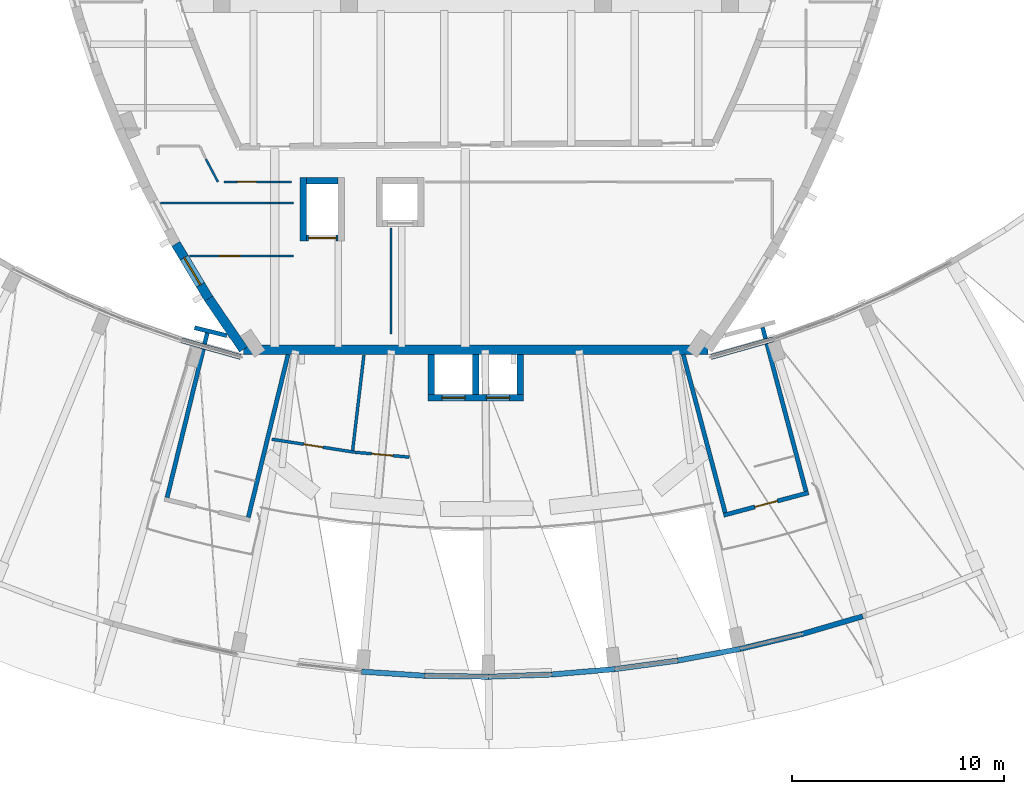
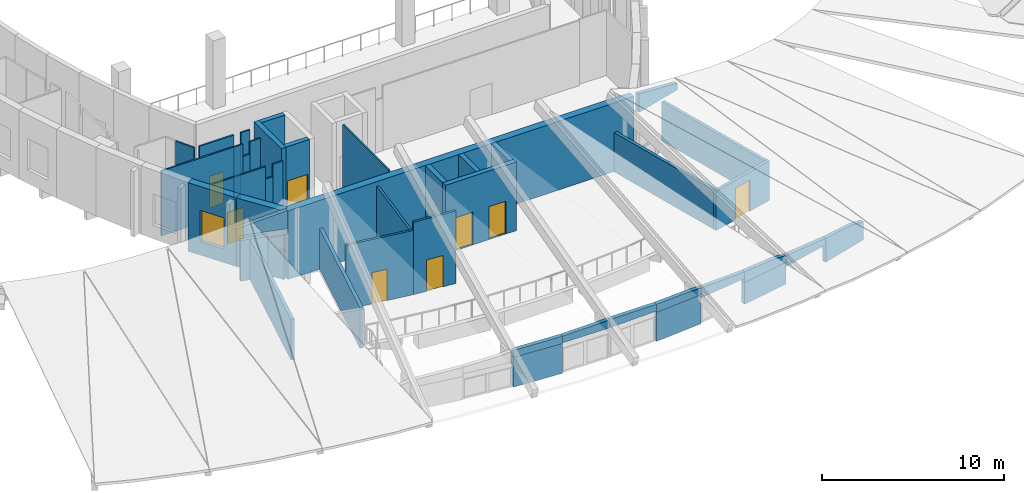
# One storey, part 33 of 56: 43 walls, 8 doors, 1 window, 9 openings.
"""IFC4 building model written with IfcOpenShell, lengths in metres."""

from ifc_helpers import new_model, si_unit, direction, frame, frame_2d, origin, place, context, subcontext, project, spatial, polyline, rectangle, outline, extrude, material, layer, layer_set, type_object, element, fill, save


model = new_model("IFC4")

# Units and contexts
model_context = context("Model", 3, precision=1e-05, world=origin(), true_north=direction((0.0, 1.0)))
body_context = subcontext(model_context, "Body", "Model", "MODEL_VIEW")
ifc_project = project(units=[si_unit("LENGTHUNIT", "METRE"), si_unit("AREAUNIT", "SQUARE_METRE"), si_unit("VOLUMEUNIT", "CUBIC_METRE"), si_unit("PLANEANGLEUNIT", "RADIAN"), si_unit("MASSUNIT", "GRAM", prefix="KILO")], contexts=[model_context])

# Site, building, storey
site_placement = place(None, origin())
site = spatial("IfcSite", under=ifc_project, at=site_placement, CompositionType="ELEMENT")
building_placement = place(site_placement, origin())
building = spatial("IfcBuilding", under=site, at=building_placement, Name="Tide Square Theatres", CompositionType="ELEMENT")
storey_placement = place(building_placement, frame((0.0, 0.0, 10.199951171875)))
storey = spatial("IfcBuildingStorey", under=building, at=storey_placement, Name="L02", CompositionType="ELEMENT", Elevation=10.199951171875)

# Walls
ifc_material_1 = material(Name="Gypsum board on steel studs", Category="steel")
ifc_layer_1 = layer(ifc_material_1, 0.10009765625)
ifc_layer_set_1 = layer_set([ifc_layer_1], Name="Gypsum board on steel studs")
wall_type_1 = type_object("IfcWallType", Name="Partition 100 thick", PredefinedType="PARTITIONING", material=ifc_layer_set_1)
wall_1_placement = place(storey_placement, frame((75.3798828125, 30.5, 0.0), z_axis=(0.0, 0.0, 1.0), x_axis=(-1.0, 0.0, 0.0)))
element("IfcWall", 1, at=wall_1_placement, inside=storey, type_object=wall_type_1, Name="Partition", PredefinedType="PARTITIONING", context=body_context, shape_type="SweptSolid", body=[
    extrude(rectangle(XDim=0.64990234375, YDim=0.10009765625, at=frame_2d((0.324951171875, 0.0))), origin(), (0.0, 0.0, 1.0), 4.35009765625),
])
wall_2_placement = place(storey_placement, frame((74.72998046875, 30.5, 0.0), z_axis=(0.0, 0.0, 1.0), x_axis=(-1.0, 0.0, 0.0)))
element("IfcWall", 2, at=wall_2_placement, inside=storey, type_object=wall_type_1, Name="Partition", PredefinedType="PARTITIONING", context=body_context, shape_type="SweptSolid", body=[
    extrude(rectangle(XDim=0.4599609375, YDim=0.10009765625, at=frame_2d((0.22998046875, 0.0))), origin(), (0.0, 0.0, 1.0), 3.52001953125),
])
wall_3_placement = place(storey_placement, frame((74.27001953125, 30.5, 0.0), z_axis=(0.0, 0.0, 1.0), x_axis=(-1.0, 0.0, 0.0)))
element("IfcWall", 3, at=wall_3_placement, inside=storey, type_object=wall_type_1, Name="Partition", PredefinedType="PARTITIONING", context=body_context, shape_type="SweptSolid", body=[
    extrude(rectangle(XDim=5.160888671875, YDim=0.10009765625, at=frame_2d((2.58056640625, 0.0))), origin(), (0.0, 0.0, 1.0), 4.35009765625),
])
wall_4_placement = place(storey_placement, frame((75.376953125, 28.0, 0.0), z_axis=(0.0, 0.0, 1.0), x_axis=(-1.0, 0.0, 0.0)))
element("IfcWall", 4, at=wall_4_placement, inside=storey, type_object=wall_type_1, Name="Partition", PredefinedType="PARTITIONING", context=body_context, shape_type="SweptSolid", body=[
    extrude(rectangle(XDim=0.64697265625, YDim=0.10009765625, at=frame_2d((0.323486328125, 0.0))), origin(), (0.0, 0.0, 1.0), 4.35009765625),
])
wall_5_placement = place(storey_placement, frame((74.72998046875, 28.0, 0.0), z_axis=(0.0, 0.0, 1.0), x_axis=(-1.0, 0.0, 0.0)))
element("IfcWall", 5, at=wall_5_placement, inside=storey, type_object=wall_type_1, Name="Partition", PredefinedType="PARTITIONING", context=body_context, shape_type="SweptSolid", body=[
    extrude(rectangle(XDim=0.4599609375, YDim=0.10009765625, at=frame_2d((0.22998046875, 0.0))), origin(), (0.0, 0.0, 1.0), 3.52001953125),
])

# Wall, opening, door
wall_6_placement = place(storey_placement, frame((74.27001953125, 28.0, 0.0), z_axis=(0.0, 0.0, 1.0), x_axis=(-1.0, 0.0, 0.0)))
wall_6 = element("IfcWall", 6, at=wall_6_placement, inside=storey, type_object=wall_type_1, Name="Partition", PredefinedType="PARTITIONING", context=body_context, shape_type="SweptSolid", body=[
    extrude(rectangle(XDim=3.790771484375, YDim=0.10009765625, at=frame_2d((1.8955078125, 0.0))), origin(), (0.0, 0.0, 1.0), 4.35009765625),
])
opening_1_placement = place(wall_6_placement, frame((1.395263671875, 0.0, 0.0)))
opening_1 = element("IfcOpeningElement", 7, at=opening_1_placement, cuts=wall_6, Name="Opening M02-09", PredefinedType="OPENING", context=body_context, shape_type="SweptSolid", body=[
    extrude(rectangle(XDim=1.0, YDim=2.10009765625, at=frame_2d((0.5, 1.050048828125))), frame((0.0, 0.06005859375, 0.0), z_axis=(0.0, -1.0, 0.0), x_axis=(1.0, 0.0, 0.0)), (0.0, 0.0, 1.0), 0.1201171875),
])
ifc_material_2 = material(Name="Hardwood timber", Category="wood")
door_type_1 = type_object("IfcDoorType", Name="Door 1000 x 2100 single leaf", OperationType="NOTDEFINED", PredefinedType="DOOR", material=ifc_material_2)
door_1_placement = place(opening_1_placement, frame((1.0, 0.0, 0.0), z_axis=(0.0, 0.0, 1.0), x_axis=(-1.0, 0.0, 0.0)))
door_1 = element("IfcDoor", 8, at=door_1_placement, inside=storey, type_object=door_type_1, Name="Accessible Toilet Upper Circle door", OperationType="SINGLE_SWING_LEFT", OverallHeight=2.10009765625, OverallWidth=1.0, PredefinedType="DOOR", context=body_context, shape_type="SweptSolid", body=[
    extrude(rectangle(XDim=1.0, YDim=2.10009765625, at=frame_2d((0.5, 1.050048828125))), frame((0.0, 0.02490234375, 0.0), z_axis=(0.0, -1.0, 0.0), x_axis=(1.0, 0.0, 0.0)), (0.0, 0.0, 1.0), 0.050048828125),
])
fill(opening_1, door_1)

# Wall
wall_7_placement = place(storey_placement, frame((71.248779296875, 32.582763671875, 0.0), z_axis=(0.0, 0.0, 1.0), x_axis=(0.466970962101, -0.884272650575, 0.0)))
element("IfcWall", 9, at=wall_7_placement, inside=storey, type_object=wall_type_1, Name="Partition", PredefinedType="PARTITIONING", context=body_context, shape_type="SweptSolid", body=[
    extrude(rectangle(XDim=1.223876953125, YDim=0.10009765625, at=frame_2d((0.61181640625, 0.0))), origin(), (0.0, 0.0, 1.0), 4.35009765625),
])

# Wall, opening, door
wall_8_placement = place(storey_placement, frame((72.098388671875, 31.5, 0.0), z_axis=(0.0, 0.0, 1.0), x_axis=(1.0, 0.0, 0.0)))
wall_8 = element("IfcWall", 10, at=wall_8_placement, inside=storey, type_object=wall_type_1, Name="Partition", PredefinedType="PARTITIONING", context=body_context, shape_type="SweptSolid", body=[
    extrude(rectangle(XDim=2.171630859375, YDim=0.10009765625, at=frame_2d((1.0859375, 0.0))), origin(), (0.0, 0.0, 1.0), 4.35009765625),
])
opening_2_placement = place(wall_8_placement, frame((0.6357421875, 0.0, 0.0)))
opening_2 = element("IfcOpeningElement", 11, at=opening_2_placement, cuts=wall_8, Name="Opening M02-08", PredefinedType="OPENING", context=body_context, shape_type="SweptSolid", body=[
    extrude(rectangle(XDim=0.89990234375, YDim=2.10009765625, at=frame_2d((0.449951171875, 1.050048828125))), frame((0.0, 0.06005859375, 0.0), z_axis=(0.0, -1.0, 0.0), x_axis=(1.0, 0.0, 0.0)), (0.0, 0.0, 1.0), 0.1201171875),
])
ifc_material_3 = material(Name="Hardwood timber", Category="wood")
door_type_2 = type_object("IfcDoorType", Name="Door 900 x 2100 single leaf", OperationType="NOTDEFINED", PredefinedType="DOOR", material=ifc_material_3)
door_2_placement = place(opening_2_placement, frame((0.89990234375, 0.0, 0.0), z_axis=(0.0, 0.0, 1.0), x_axis=(-1.0, 0.0, 0.0)))
door_2 = element("IfcDoor", 12, at=door_2_placement, inside=storey, type_object=door_type_2, Name="Women's Toilets Upper Circle door", OperationType="SINGLE_SWING_LEFT", OverallHeight=2.10009765625, OverallWidth=0.89990234375, PredefinedType="DOOR", context=body_context, shape_type="SweptSolid", body=[
    extrude(rectangle(XDim=0.89990234375, YDim=2.10009765625, at=frame_2d((0.449951171875, 1.050048828125))), frame((0.0, 0.02490234375, 0.0), z_axis=(0.0, -1.0, 0.0), x_axis=(1.0, 0.0, 0.0)), (0.0, 0.0, 1.0), 0.050048828125),
])
fill(opening_2, door_2)

# Walls
wall_9_placement = place(storey_placement, frame((74.27001953125, 31.5, 0.0), z_axis=(0.0, 0.0, 1.0), x_axis=(1.0, 0.0, 0.0)))
element("IfcWall", 13, at=wall_9_placement, inside=storey, type_object=wall_type_1, Name="Partition", PredefinedType="PARTITIONING", context=body_context, shape_type="SweptSolid", body=[
    extrude(rectangle(XDim=0.4599609375, YDim=0.10009765625, at=frame_2d((0.22998046875, 0.0))), origin(), (0.0, 0.0, 1.0), 3.52001953125),
])
wall_10_placement = place(storey_placement, frame((74.72998046875, 31.5, 0.0), z_axis=(0.0, 0.0, 1.0), x_axis=(1.0, 0.0, 0.0)))
element("IfcWall", 14, at=wall_10_placement, inside=storey, type_object=wall_type_1, Name="Partition", PredefinedType="PARTITIONING", context=body_context, shape_type="SweptSolid", body=[
    extrude(rectangle(XDim=0.557861328125, YDim=0.10009765625, at=frame_2d((0.27880859375, 0.0))), origin(), (0.0, 0.0, 1.0), 4.35009765625),
])
wall_11_placement = place(storey_placement, frame((80.0, 24.317626953125, 0.0), z_axis=(0.0, 0.0, 1.0), x_axis=(0.0, 1.0, 0.0)))
element("IfcWall", 15, at=wall_11_placement, inside=storey, type_object=wall_type_1, Name="Partition", PredefinedType="PARTITIONING", context=body_context, shape_type="SweptSolid", body=[
    extrude(rectangle(XDim=5.012451171875, YDim=0.10009765625, at=frame_2d((2.50634765625, 0.0))), origin(), (0.0, 0.0, 1.0), 4.35009765625),
])
ifc_material_4 = material(Name="Concrete masonry block", Category="masonry")
ifc_layer_2 = layer(ifc_material_4, 0.139892578125)
ifc_layer_set_2 = layer_set([ifc_layer_2], Name="Concrete masonry block")
wall_type_2 = type_object("IfcWallType", Name="Partition 140 thick", PredefinedType="PARTITIONING", material=ifc_layer_set_2)
wall_12_placement = place(storey_placement, frame((78.71337890625, 23.317626953125, 0.0), z_axis=(0.0, 0.0, 1.0), x_axis=(-0.117508051617, -0.993071929824, 0.0)))
element("IfcWall", 16, at=wall_12_placement, inside=storey, type_object=wall_type_2, Name="Foyer room partition", PredefinedType="PARTITIONING", context=body_context, shape_type="SweptSolid", body=[
    extrude(rectangle(XDim=4.5458984375, YDim=0.139892578125, at=frame_2d((2.27294921875, 0.0))), origin(), (0.0, 0.0, 1.0), 4.31396484375),
])

# Wall, opening, door
wall_13_placement = place(storey_placement, frame((74.361328125, 19.345703125, 0.0), z_axis=(0.0, 0.0, 1.0), x_axis=(0.987917678703, -0.154979547379, 0.0)))
wall_13 = element("IfcWall", 17, at=wall_13_placement, inside=storey, type_object=wall_type_2, Name="Foyer room wall", PredefinedType="PARTITIONING", context=body_context, shape_type="SweptSolid", body=[
    extrude(rectangle(XDim=3.966552734375, YDim=0.139892578125, at=frame_2d((1.9833984375, 0.0))), origin(), (0.0, 0.0, 1.0), 4.31396484375),
])
opening_3_placement = place(wall_13_placement, frame((1.533203125, 0.0, 0.0)))
opening_3 = element("IfcOpeningElement", 18, at=opening_3_placement, cuts=wall_13, Name="Opening F02-03", PredefinedType="OPENING", context=body_context, shape_type="SweptSolid", body=[
    extrude(rectangle(XDim=0.89990234375, YDim=2.10009765625, at=frame_2d((0.449951171875, 1.050048828125))), frame((0.0, 0.079833984375, 0.0), z_axis=(0.0, -1.0, 0.0), x_axis=(1.0, 0.0, 0.0)), (0.0, 0.0, 1.0), 0.159912109375),
])
door_3_placement = place(opening_3_placement, origin())
door_3 = element("IfcDoor", 19, at=door_3_placement, inside=storey, type_object=door_type_2, Name="Public Toilets 3 door", OperationType="SINGLE_SWING_RIGHT", OverallHeight=2.10009765625, OverallWidth=0.89990234375, PredefinedType="DOOR", context=body_context, shape_type="SweptSolid", body=[
    extrude(rectangle(XDim=0.89990234375, YDim=2.10009765625, at=frame_2d((0.449951171875, 1.050048828125))), frame((0.0, 0.02490234375, 0.0), z_axis=(0.0, -1.0, 0.0), x_axis=(1.0, 0.0, 0.0)), (0.0, 0.0, 1.0), 0.050048828125),
])
fill(opening_3, door_3)

wall_14_placement = place(storey_placement, frame((78.2998046875, 18.728759765625, 0.0), z_axis=(0.0, 0.0, 1.0), x_axis=(0.996014787006, -0.08918825071, 0.0)))
wall_14 = element("IfcWall", 20, at=wall_14_placement, inside=storey, type_object=wall_type_2, Name="Foyer room wall", PredefinedType="PARTITIONING", context=body_context, shape_type="SweptSolid", body=[
    extrude(rectangle(XDim=2.56494140625, YDim=0.139892578125, at=frame_2d((1.282470703125, 0.0))), origin(), (0.0, 0.0, 1.0), 4.85693359375),
])
opening_4_placement = place(wall_14_placement, frame((0.782470703125, 0.0, 0.0)))
opening_4 = element("IfcOpeningElement", 21, at=opening_4_placement, cuts=wall_14, Name="Opening F02-04", PredefinedType="OPENING", context=body_context, shape_type="SweptSolid", body=[
    extrude(rectangle(XDim=1.0, YDim=2.10009765625, at=frame_2d((0.5, 1.050048828125))), frame((0.0, 0.079833984375, 0.0), z_axis=(0.0, -1.0, 0.0), x_axis=(1.0, 0.0, 0.0)), (0.0, 0.0, 1.0), 0.159912109375),
])
door_4_placement = place(opening_4_placement, origin())
door_4 = element("IfcDoor", 22, at=door_4_placement, inside=storey, type_object=door_type_1, Name="Accessible Toilet 3 door", OperationType="SINGLE_SWING_RIGHT", OverallHeight=2.10009765625, OverallWidth=1.0, PredefinedType="DOOR", context=body_context, shape_type="SweptSolid", body=[
    extrude(rectangle(XDim=1.0, YDim=2.10009765625, at=frame_2d((0.5, 1.050048828125))), frame((0.0, 0.02490234375, 0.0), z_axis=(0.0, -1.0, 0.0), x_axis=(1.0, 0.0, 0.0)), (0.0, 0.0, 1.0), 0.050048828125),
])
fill(opening_4, door_4)

# Wall, opening, window
ifc_material_5 = material(Name="Concrete C40", Category="concrete")
ifc_layer_3 = layer(ifc_material_5, 0.449951171875)
ifc_layer_set_3 = layer_set([ifc_layer_3], Name="Concrete C40")
wall_type_3 = type_object("IfcWallType", Name="RC curved wall 450 thick", PredefinedType="SOLIDWALL", material=ifc_layer_set_3)
wall_15_placement = place(storey_placement, frame((69.830810546875, 28.57470703125, 0.0), z_axis=(0.0, 0.0, 1.0), x_axis=(0.515636119523, -0.856807675177, 0.0)))
wall_15 = element("IfcWall", 23, at=wall_15_placement, inside=storey, type_object=wall_type_3, Name="Main Theatre perimeter wall", PredefinedType="SOLIDWALL", context=body_context, shape_type="SweptSolid", body=[
    extrude(rectangle(XDim=3.021240234375, YDim=0.449951171875, at=frame_2d((1.5107421875, 0.0))), origin(), (0.0, 0.0, 1.0), 4.60009765625),
])
opening_5_placement = place(wall_15_placement, frame((0.760498046875, 0.0, 0.89990234375)))
opening_5 = element("IfcOpeningElement", 24, at=opening_5_placement, cuts=wall_15, Name="Opening WN-01", PredefinedType="OPENING", context=body_context, shape_type="SweptSolid", body=[
    extrude(rectangle(XDim=1.5, YDim=2.10009765625, at=frame_2d((0.75, 1.050048828125))), frame((0.0, 0.23486328125, 0.0), z_axis=(0.0, -1.0, 0.0), x_axis=(1.0, 0.0, 0.0)), (0.0, 0.0, 1.0), 0.469970703125),
])
ifc_material_6 = material(Name="Aluminium with laminated glass", Category="aluminium")
window_type = type_object("IfcWindowType", Name="Window 1500 x 2100", PartitioningType="SINGLE_PANEL", PredefinedType="WINDOW", material=ifc_material_6)
window_placement = place(opening_5_placement, origin())
window = element("IfcWindow", 25, at=window_placement, inside=storey, type_object=window_type, Name="Main Theatre window", OverallHeight=2.10009765625, OverallWidth=1.5, PartitioningType="SINGLE_PANEL", PredefinedType="WINDOW", context=body_context, shape_type="SweptSolid", body=[
    extrude(rectangle(XDim=1.5, YDim=2.10009765625, at=frame_2d((0.75, 1.050048828125))), frame((0.0, 0.030029296875, 0.0), z_axis=(0.0, -1.0, 0.0), x_axis=(1.0, 0.0, 0.0)), (0.0, 0.0, 1.0), 0.06005859375),
])
fill(opening_5, window)

# Walls
wall_16_placement = place(storey_placement, frame((71.388671875, 25.986083984375, 0.0), z_axis=(0.0, 0.0, 1.0), x_axis=(0.5629642644, -0.826481238147, 0.0)))
element("IfcWall", 26, at=wall_16_placement, inside=storey, type_object=wall_type_3, Name="Main Theatre perimeter wall", PredefinedType="SOLIDWALL", context=body_context, shape_type="SweptSolid", body=[
    extrude(rectangle(XDim=2.908203125, YDim=0.449951171875, at=frame_2d((1.4541015625, 0.0))), origin(), (0.0, 0.0, 1.0), 4.60009765625),
])
wall_17_placement = place(storey_placement, frame((73.02587890625, 23.58251953125, 0.0), z_axis=(0.0, 0.0, 1.0), x_axis=(1.0, 0.0, 0.0)))
element("IfcWall", 27, at=wall_17_placement, inside=storey, type_object=wall_type_3, Name="Main Theatre perimeter wall", PredefinedType="SOLIDWALL", context=body_context, shape_type="SweptSolid", body=[
    extrude(rectangle(XDim=21.9482421875, YDim=0.449951171875, at=frame_2d((10.97412109375, 0.0))), origin(), (0.0, 0.0, 1.0), 4.60009765625),
])
ifc_material_7 = material(Name="Concrete C40", Category="concrete")
ifc_layer_4 = layer(ifc_material_7, 0.199951171875)
ifc_layer_set_4 = layer_set([ifc_layer_4], Name="Concrete C40")
wall_type_4 = type_object("IfcWallType", Name="RC shear wall 200 thick", PredefinedType="SHEAR", material=ifc_layer_set_4)
wall_18_placement = place(storey_placement, frame((72.23193359375, 24.242431640625, 0.0), z_axis=(0.0, 0.0, 1.0), x_axis=(-0.971444715638, 0.237266020446, 0.0)))
element("IfcWall", 28, at=wall_18_placement, inside=storey, type_object=wall_type_4, Name="Exit stair F3 wall", PredefinedType="SHEAR", context=body_context, shape_type="SweptSolid", body=[
    extrude(rectangle(XDim=1.559814453125, YDim=0.199951171875, at=frame_2d((0.77978515625, 0.0))), origin(), (0.0, 0.0, 1.0), 2.733154296875),
])
wall_19_placement = place(storey_placement, frame((73.254638671875, 15.655029296875, 0.0), z_axis=(0.0, 0.0, 1.0), x_axis=(0.237142809453, 0.971474800458, 0.0)))
element("IfcWall", 29, at=wall_19_placement, inside=storey, type_object=wall_type_4, Name="Exit stair F3 wall", PredefinedType="SHEAR", context=body_context, shape_type="SweptSolid", body=[
    extrude(rectangle(XDim=7.919921875, YDim=0.199951171875, at=frame_2d((3.9599609375, 0.0))), origin(), (0.0, 0.0, 1.0), 2.733154296875),
])
wall_20_placement = place(storey_placement, frame((69.417236328125, 16.591796875, 0.0), z_axis=(0.0, 0.0, 1.0), x_axis=(0.2371535898, 0.971472168847, 0.0)))
element("IfcWall", 30, at=wall_20_placement, inside=storey, type_object=wall_type_4, Name="Exit stair F3 wall", PredefinedType="SHEAR", context=body_context, shape_type="SweptSolid", body=[
    extrude(rectangle(XDim=8.0, YDim=0.199951171875, at=frame_2d((4.0, 0.0))), origin(), (0.0, 0.0, 1.0), 2.733154296875),
])

# Wall, opening, door
wall_21_placement = place(storey_placement, frame((99.71826171875, 16.819091796875, 0.0), z_axis=(0.0, 0.0, 1.0), x_axis=(-0.966590417756, -0.256325894715, 0.0)))
wall_21 = element("IfcWall", 31, at=wall_21_placement, inside=storey, type_object=wall_type_4, Name="Exit stair F4 wall", PredefinedType="SHEAR", context=body_context, shape_type="SweptSolid", body=[
    extrude(rectangle(XDim=4.14990234375, YDim=0.199951171875, at=frame_2d((2.074951171875, 0.0))), origin(), (0.0, 0.0, 1.0), 2.64013671875),
])
opening_6_placement = place(wall_21_placement, frame((1.52490234375, 0.0, 0.0)))
opening_6 = element("IfcOpeningElement", 32, at=opening_6_placement, cuts=wall_21, Name="Opening F02-02", PredefinedType="OPENING", context=body_context, shape_type="SweptSolid", body=[
    extrude(rectangle(XDim=1.10009765625, YDim=2.10009765625, at=frame_2d((0.550048828125, 1.050048828125))), frame((0.0, 0.10986328125, 0.0), z_axis=(0.0, -1.0, 0.0), x_axis=(1.0, 0.0, 0.0)), (0.0, 0.0, 1.0), 0.219970703125),
])
ifc_material_8 = material(Name="Painted steel", Category="steel")
door_type_3 = type_object("IfcDoorType", Name="Door 1100 x 2100 single leaf", OperationType="NOTDEFINED", PredefinedType="DOOR", material=ifc_material_8)
door_5_placement = place(opening_6_placement, origin())
door_5 = element("IfcDoor", 33, at=door_5_placement, inside=storey, type_object=door_type_3, Name="Exit stair F4 door", OperationType="SINGLE_SWING_RIGHT", OverallHeight=2.10009765625, OverallWidth=1.10009765625, PredefinedType="DOOR", context=body_context, shape_type="SweptSolid", body=[
    extrude(rectangle(XDim=1.10009765625, YDim=2.10009765625, at=frame_2d((0.550048828125, 1.050048828125))), frame((0.0, 0.02490234375, 0.0), z_axis=(0.0, -1.0, 0.0), x_axis=(1.0, 0.0, 0.0)), (0.0, 0.0, 1.0), 0.050048828125),
])
fill(opening_6, door_5)

# Walls
wall_22_placement = place(storey_placement, frame((99.59619140625, 16.89013671875, 0.0), z_axis=(0.0, 0.0, 1.0), x_axis=(-0.25631948932, 0.966592116352, 0.0)))
element("IfcWall", 34, at=wall_22_placement, inside=storey, type_object=wall_type_4, Name="Exit stair F4 wall", PredefinedType="SHEAR", context=body_context, shape_type="SweptSolid", body=[
    extrude(rectangle(XDim=8.0, YDim=0.199951171875, at=frame_2d((4.0, 0.0))), origin(), (0.0, 0.0, 1.0), 2.64013671875),
])
wall_23_placement = place(storey_placement, frame((95.778076171875, 15.877685546875, 0.0), z_axis=(0.0, 0.0, 1.0), x_axis=(-0.256333531377, 0.966588392591, 0.0)))
element("IfcWall", 35, at=wall_23_placement, inside=storey, type_object=wall_type_4, Name="Exit stair F4 wall", PredefinedType="SHEAR", context=body_context, shape_type="SweptSolid", body=[
    extrude(rectangle(XDim=7.72998046875, YDim=0.199951171875, at=frame_2d((3.864990234375, 0.0))), origin(), (0.0, 0.0, 1.0), 2.64013671875),
])
ifc_material_9 = material(Name="Concrete C40", Category="concrete")
ifc_layer_5 = layer(ifc_material_9, 0.25)
ifc_layer_set_5 = layer_set([ifc_layer_5], Name="Concrete C40")
wall_type_5 = type_object("IfcWallType", Name="RC shear wall 250 thick", PredefinedType="SHEAR", material=ifc_layer_set_5)
wall_24_placement = place(storey_placement, frame((78.6064453125, 8.368408203125, 0.0), z_axis=(0.0, 0.0, 1.0), x_axis=(0.99787826494, -0.065107360255, 0.0)))
element("IfcWall", 36, at=wall_24_placement, inside=storey, type_object=wall_type_5, Name="Foyer entrance pier wall", PredefinedType="SHEAR", context=body_context, shape_type="SweptSolid", body=[
    extrude(rectangle(XDim=2.99609375, YDim=0.25, at=frame_2d((1.498046875, 0.0))), origin(), (0.0, 0.0, 1.0), 2.00390625),
])
wall_25_placement = place(storey_placement, frame((78.6064453125, 8.368408203125, 2.00390625), z_axis=(0.0, 0.0, 1.0), x_axis=(0.99787826494, -0.065107360255, 0.0)))
element("IfcWall", 37, at=wall_25_placement, inside=storey, type_object=wall_type_5, Name="Foyer fascia wall", PredefinedType="SHEAR", context=body_context, shape_type="SweptSolid", body=[
    extrude(outline(polyline([(0.0, 0.0), (2.99609375, 0.0), (2.99609375, 0.48583984375), (0.299560546875, 0.458251953125), (0.0, 0.448486328125), (0.0, 0.0)])), frame((0.0, 0.125, 0.0), z_axis=(0.0, -1.0, 0.0), x_axis=(1.0, 0.0, 0.0)), (0.0, 0.0, 1.0), 0.25),
])
wall_26_placement = place(storey_placement, frame((87.5859375, 8.232421875, 0.0), z_axis=(0.0, 0.0, 1.0), x_axis=(0.996388331705, 0.08491344088, 0.0)))
element("IfcWall", 38, at=wall_26_placement, inside=storey, type_object=wall_type_5, Name="Foyer entrance pier wall", PredefinedType="SHEAR", context=body_context, shape_type="SweptSolid", body=[
    extrude(rectangle(XDim=2.995849609375, YDim=0.25, at=frame_2d((1.498046875, 0.0))), origin(), (0.0, 0.0, 1.0), 1.945068359375),
])
wall_27_placement = place(storey_placement, frame((87.5859375, 8.232421875, 1.945068359375), z_axis=(0.0, 0.0, 1.0), x_axis=(0.996388331705, 0.08491344088, 0.0)))
element("IfcWall", 39, at=wall_27_placement, inside=storey, type_object=wall_type_5, Name="Foyer fascia wall", PredefinedType="SHEAR", context=body_context, shape_type="SweptSolid", body=[
    extrude(outline(polyline([(0.0, 0.0), (2.995849609375, 0.0), (2.99609375, 0.448486328125), (2.6962890625, 0.47021484375), (2.396728515625, 0.491455078125), (2.09716796875, 0.50830078125), (0.0, 0.546875), (0.0, 0.0)])), frame((0.0, 0.125, 0.0), z_axis=(0.0, -1.0, 0.0), x_axis=(1.0, 0.0, 0.0)), (0.0, 0.0, 1.0), 0.25),
])
wall_28_placement = place(storey_placement, frame((93.539794921875, 8.889892578125, 0.0), z_axis=(0.0, 0.0, 1.0), x_axis=(0.982925651783, 0.184003160481, 0.0)))
element("IfcWall", 40, at=wall_28_placement, inside=storey, type_object=wall_type_5, Name="Foyer entrance pier wall", PredefinedType="SHEAR", context=body_context, shape_type="SweptSolid", body=[
    extrude(rectangle(XDim=2.99609375, YDim=0.25, at=frame_2d((1.498046875, 0.0))), origin(), (0.0, 0.0, 1.0), 1.4580078125),
])
wall_29_placement = place(storey_placement, frame((93.539794921875, 8.889892578125, 1.4580078125), z_axis=(0.0, 0.0, 1.0), x_axis=(0.982925651783, 0.184003160481, 0.0)))
element("IfcWall", 41, at=wall_29_placement, inside=storey, type_object=wall_type_5, Name="Foyer fascia wall", PredefinedType="SHEAR", context=body_context, shape_type="SweptSolid", body=[
    extrude(outline(polyline([(0.0, 0.0), (2.99609375, 0.0), (2.99609375, 0.44873046875), (2.6962890625, 0.49951171875), (2.396728515625, 0.555419921875), (2.09716796875, 0.605224609375), (0.0, 0.7236328125), (0.0, 0.0)])), frame((0.0, 0.125, 0.0), z_axis=(0.0, -1.0, 0.0), x_axis=(1.0, 0.0, 0.0)), (0.0, 0.0, 1.0), 0.25),
])
wall_30_placement = place(storey_placement, frame((81.59619140625, 8.17333984375, 2.041259765625), z_axis=(0.0, 0.0, 1.0), x_axis=(0.999885123306, -0.015157182798, 0.0)))
element("IfcWall", 42, at=wall_30_placement, inside=storey, type_object=wall_type_5, Name="Foyer fascia wall", PredefinedType="SHEAR", context=body_context, shape_type="SweptSolid", body=[
    extrude(outline(polyline([(0.0, 0.0), (2.995849609375, 0.0), (2.99609375, 0.548583984375), (2.396728515625, 0.512939453125), (2.09716796875, 0.499267578125), (0.0, 0.44873046875), (0.0, 0.0)])), frame((0.0, 0.125, 0.0), z_axis=(0.0, -1.0, 0.0), x_axis=(1.0, 0.0, 0.0)), (0.0, 0.0, 1.0), 0.25),
])
wall_31_placement = place(storey_placement, frame((84.591796875, 8.1279296875, 2.04345703125), z_axis=(0.0, 0.0, 1.0), x_axis=(0.999391589397, 0.034877658208, 0.0)))
element("IfcWall", 43, at=wall_31_placement, inside=storey, type_object=wall_type_5, Name="Foyer fascia wall", PredefinedType="SHEAR", context=body_context, shape_type="SweptSolid", body=[
    extrude(outline(polyline([(0.0, 0.0), (2.995849609375, 0.0), (2.99609375, 0.448486328125), (0.0, 0.546630859375), (0.0, 0.0)])), frame((0.0, 0.125, 0.0), z_axis=(0.0, -1.0, 0.0), x_axis=(1.0, 0.0, 0.0)), (0.0, 0.0, 1.0), 0.25),
])
wall_32_placement = place(storey_placement, frame((90.571044921875, 8.48681640625, 1.733642578125), z_axis=(0.0, 0.0, 1.0), x_axis=(0.990908350076, 0.134538625491, 0.0)))
element("IfcWall", 44, at=wall_32_placement, inside=storey, type_object=wall_type_5, Name="Foyer fascia wall", PredefinedType="SHEAR", context=body_context, shape_type="SweptSolid", body=[
    extrude(outline(polyline([(0.0, 0.0), (2.99609375, 0.0), (2.99609375, 0.448486328125), (0.0, 0.659423828125), (0.0, 0.0)])), frame((0.0, 0.125, 0.0), z_axis=(0.0, -1.0, 0.0), x_axis=(1.0, 0.0, 0.0)), (0.0, 0.0, 1.0), 0.25),
])
wall_33_placement = place(storey_placement, frame((96.484619140625, 9.441162109375, 1.171875), z_axis=(0.0, 0.0, 1.0), x_axis=(0.972501099479, 0.232898285764, 0.0)))
element("IfcWall", 45, at=wall_33_placement, inside=storey, type_object=wall_type_5, Name="Foyer fascia wall", PredefinedType="SHEAR", context=body_context, shape_type="SweptSolid", body=[
    extrude(outline(polyline([(0.0, 0.0), (2.995849609375, 0.0), (2.99609375, 0.44873046875), (0.0, 0.734375), (0.0, 0.0)])), frame((0.0, 0.125, 0.0), z_axis=(0.0, -1.0, 0.0), x_axis=(1.0, 0.0, 0.0)), (0.0, 0.0, 1.0), 0.25),
])
wall_34_placement = place(storey_placement, frame((99.398193359375, 10.138916015625, 0.0), z_axis=(0.0, 0.0, 1.0), x_axis=(0.959619441909, 0.281301487217, 0.0)))
element("IfcWall", 46, at=wall_34_placement, inside=storey, type_object=wall_type_5, Name="Foyer fascia wall", PredefinedType="SHEAR", context=body_context, shape_type="SweptSolid", body=[
    extrude(outline(polyline([(0.0, 0.0), (2.99609375, 0.0), (2.99609375, 1.224853515625), (2.6962890625, 1.28955078125), (2.396728515625, 1.369140625), (2.09716796875, 1.446533203125), (0.0, 1.6201171875), (0.0, 0.0)])), frame((0.0, 0.125, 0.0), z_axis=(0.0, -1.0, 0.0), x_axis=(1.0, 0.0, 0.0)), (0.0, 0.0, 1.0), 0.25),
])
wall_35_placement = place(storey_placement, frame((98.045654296875, 24.0654296875, 3.60693359375), z_axis=(0.0, 0.0, 1.0), x_axis=(-0.962032579716, -0.272934636065, 0.0)))
element("IfcWall", 47, at=wall_35_placement, inside=storey, type_object=wall_type_5, Name="Foyer fascia wall", PredefinedType="SHEAR", context=body_context, shape_type="SweptSolid", body=[
    extrude(outline(polyline([(0.0, 0.0), (3.051025390625, 0.0), (3.05126953125, 1.2578125), (0.27734375, 0.515869140625), (0.0, 0.448974609375), (0.0, 0.0)])), frame((0.0, 0.125, 0.0), z_axis=(0.0, -1.0, 0.0), x_axis=(1.0, 0.0, 0.0)), (0.0, 0.0, 1.0), 0.25),
])
wall_36_placement = place(storey_placement, frame((72.8896484375, 23.232666015625, 3.626953125), z_axis=(0.0, 0.0, 1.0), x_axis=(-0.962501662404, 0.271275781944, 0.0)))
element("IfcWall", 48, at=wall_36_placement, inside=storey, type_object=wall_type_5, Name="Foyer fascia wall", PredefinedType="SHEAR", context=body_context, shape_type="SweptSolid", body=[
    extrude(outline(polyline([(0.0, 0.0), (2.893310546875, 0.0), (2.8935546875, 0.448974609375), (2.31494140625, 0.62841796875), (2.025390625, 0.697509765625), (0.0, 1.203369140625), (0.0, 0.0)])), frame((0.0, 0.125, 0.0), z_axis=(0.0, -1.0, 0.0), x_axis=(1.0, 0.0, 0.0)), (0.0, 0.0, 1.0), 0.25),
])

# Wall, opening, door
ifc_material_10 = material(Name="Concrete C40", Category="concrete")
ifc_layer_6 = layer(ifc_material_10, 0.300048828125)
ifc_layer_set_6 = layer_set([ifc_layer_6], Name="Concrete C40")
wall_type_6 = type_object("IfcWallType", Name="RC shear wall 300 thick", PredefinedType="SHEAR", material=ifc_layer_set_6)
wall_37_placement = place(storey_placement, frame((76.0, 28.85009765625, 0.0), z_axis=(0.0, 0.0, 1.0), x_axis=(1.0, 0.0, 0.0)))
wall_37 = element("IfcWall", 49, at=wall_37_placement, inside=storey, type_object=wall_type_6, Name="Main Theatre lift 1 shaft wall", PredefinedType="SHEAR", context=body_context, shape_type="SweptSolid", body=[
    extrude(rectangle(XDim=1.5, YDim=0.300048828125, at=frame_2d((0.75, 0.0))), origin(), (0.0, 0.0, 1.0), 4.60009765625),
])
opening_7_placement = place(wall_37_placement, frame((0.10009765625, 0.0, 0.0)))
opening_7 = element("IfcOpeningElement", 50, at=opening_7_placement, cuts=wall_37, Name="Opening LD-M1-2", PredefinedType="OPENING", context=body_context, shape_type="SweptSolid", body=[
    extrude(rectangle(XDim=1.300048828125, YDim=2.300048828125, at=frame_2d((0.64990234375, 1.14990234375))), frame((0.0, 0.159912109375, 0.0), z_axis=(0.0, -1.0, 0.0), x_axis=(1.0, 0.0, 0.0)), (0.0, 0.0, 1.0), 0.320068359375),
])
ifc_material_11 = material(Name="Painted steel", Category="steel")
door_type_4 = type_object("IfcDoorType", Name="Door 1300 x 2300 sliding", OperationType="SLIDING_TO_LEFT", PredefinedType="DOOR", material=ifc_material_11)
door_6_placement = place(opening_7_placement, origin())
door_6 = element("IfcDoor", 51, at=door_6_placement, inside=storey, type_object=door_type_4, Name="Main Theatre Stretcher Lift landing door L02", OperationType="SLIDING_TO_LEFT", OverallHeight=2.300048828125, OverallWidth=1.300048828125, PredefinedType="DOOR", context=body_context, shape_type="SweptSolid", body=[
    extrude(rectangle(XDim=1.300048828125, YDim=2.300048828125, at=frame_2d((0.64990234375, 1.14990234375))), frame((0.0, 0.02490234375, 0.0), z_axis=(0.0, -1.0, 0.0), x_axis=(1.0, 0.0, 0.0)), (0.0, 0.0, 1.0), 0.050048828125),
])
fill(opening_7, door_6)

# Walls
wall_38_placement = place(storey_placement, frame((77.5, 31.550048828125, 0.0), z_axis=(0.0, 0.0, 1.0), x_axis=(-1.0, 0.0, 0.0)))
element("IfcWall", 52, at=wall_38_placement, inside=storey, type_object=wall_type_6, Name="Main Theatre lift 1 shaft wall", PredefinedType="SHEAR", context=body_context, shape_type="SweptSolid", body=[
    extrude(rectangle(XDim=1.5, YDim=0.300048828125, at=frame_2d((0.75, 0.0))), origin(), (0.0, 0.0, 1.0), 4.60009765625),
])
wall_39_placement = place(storey_placement, frame((75.85009765625, 31.699951171875, 0.0), z_axis=(0.0, 0.0, 1.0), x_axis=(0.0, -1.0, 0.0)))
element("IfcWall", 53, at=wall_39_placement, inside=storey, type_object=wall_type_6, Name="Main Theatre lift 1 shaft wall", PredefinedType="SHEAR", context=body_context, shape_type="SweptSolid", body=[
    extrude(rectangle(XDim=3.0, YDim=0.300048828125, at=frame_2d((1.5, 0.0))), origin(), (0.0, 0.0, 1.0), 4.60009765625),
])
for number, where, z_axis, x_axis, name in (
    (54, (81.89990234375, 21.45751953125, 0.0), (0.0, 0.0, 1.0), (0.0, 1.0, 0.0), "Lift shaft wall"),
    (55, (84.0, 21.45751953125, 0.0), (0.0, 0.0, 1.0), (0.0, 1.0, 0.0), "Lift shaft wall"),
    (56, (86.10009765625, 21.45751953125, 0.0), (0.0, 0.0, 1.0), (0.0, 1.0, 0.0), "Lift shaft wall"),
):
    element("IfcWall", number, at=place(storey_placement, frame(where, z_axis=z_axis, x_axis=x_axis)), inside=storey, type_object=wall_type_6, Name=name, PredefinedType="SHEAR", context=body_context, shape_type="SweptSolid", body=[
        extrude(rectangle(XDim=1.900146484375, YDim=0.300048828125, at=frame_2d((0.9501953125, 0.0))), origin(), (0.0, 0.0, 1.0), 4.60009765625),
    ])

# Wall, openings, doors
wall_40_placement = place(storey_placement, frame((81.75, 21.3076171875, 0.0), z_axis=(0.0, 0.0, 1.0), x_axis=(1.0, 0.0, 0.0)))
wall_40 = element("IfcWall", 57, at=wall_40_placement, inside=storey, type_object=wall_type_6, Name="Lift shaft front wall", PredefinedType="SHEAR", context=body_context, shape_type="SweptSolid", body=[
    extrude(rectangle(XDim=4.5, YDim=0.300048828125, at=frame_2d((2.25, 0.0))), origin(), (0.0, 0.0, 1.0), 4.60009765625),
])
opening_8_placement = place(wall_40_placement, frame((0.64990234375, 0.0, 0.0)))
opening_8 = element("IfcOpeningElement", 58, at=opening_8_placement, cuts=wall_40, Name="Opening LD-L02-1", PredefinedType="OPENING", context=body_context, shape_type="SweptSolid", body=[
    extrude(rectangle(XDim=1.10009765625, YDim=2.199951171875, at=frame_2d((0.550048828125, 1.10009765625))), frame((0.0, 0.159912109375, 0.0), z_axis=(0.0, -1.0, 0.0), x_axis=(1.0, 0.0, 0.0)), (0.0, 0.0, 1.0), 0.320068359375),
])
opening_9_placement = place(wall_40_placement, frame((2.75, 0.0, 0.0)))
opening_9 = element("IfcOpeningElement", 59, at=opening_9_placement, cuts=wall_40, Name="Opening LD-L02-2", PredefinedType="OPENING", context=body_context, shape_type="SweptSolid", body=[
    extrude(rectangle(XDim=1.10009765625, YDim=2.199951171875, at=frame_2d((0.550048828125, 1.10009765625))), frame((0.0, 0.159912109375, 0.0), z_axis=(0.0, -1.0, 0.0), x_axis=(1.0, 0.0, 0.0)), (0.0, 0.0, 1.0), 0.320068359375),
])
ifc_material_12 = material(Name="Painted steel", Category="steel")
door_type_5 = type_object("IfcDoorType", Name="Door 1100 x 2200 sliding", OperationType="SLIDING_TO_LEFT", PredefinedType="DOOR", material=ifc_material_12)
door_7_placement = place(opening_8_placement, origin())
door_7 = element("IfcDoor", 60, at=door_7_placement, inside=storey, type_object=door_type_5, Name="Lift 1 landing door", OperationType="SLIDING_TO_LEFT", OverallHeight=2.199951171875, OverallWidth=1.10009765625, PredefinedType="DOOR", context=body_context, shape_type="SweptSolid", body=[
    extrude(rectangle(XDim=1.10009765625, YDim=2.199951171875, at=frame_2d((0.550048828125, 1.10009765625))), frame((0.0, 0.02490234375, 0.0), z_axis=(0.0, -1.0, 0.0), x_axis=(1.0, 0.0, 0.0)), (0.0, 0.0, 1.0), 0.050048828125),
])
fill(opening_8, door_7)
door_8_placement = place(opening_9_placement, origin())
door_8 = element("IfcDoor", 61, at=door_8_placement, inside=storey, type_object=door_type_5, Name="Lift 2 landing door", OperationType="SLIDING_TO_LEFT", OverallHeight=2.199951171875, OverallWidth=1.10009765625, PredefinedType="DOOR", context=body_context, shape_type="SweptSolid", body=[
    extrude(rectangle(XDim=1.10009765625, YDim=2.199951171875, at=frame_2d((0.550048828125, 1.10009765625))), frame((0.0, 0.02490234375, 0.0), z_axis=(0.0, -1.0, 0.0), x_axis=(1.0, 0.0, 0.0)), (0.0, 0.0, 1.0), 0.050048828125),
])
fill(opening_9, door_8)

save(model, "model.ifc")
